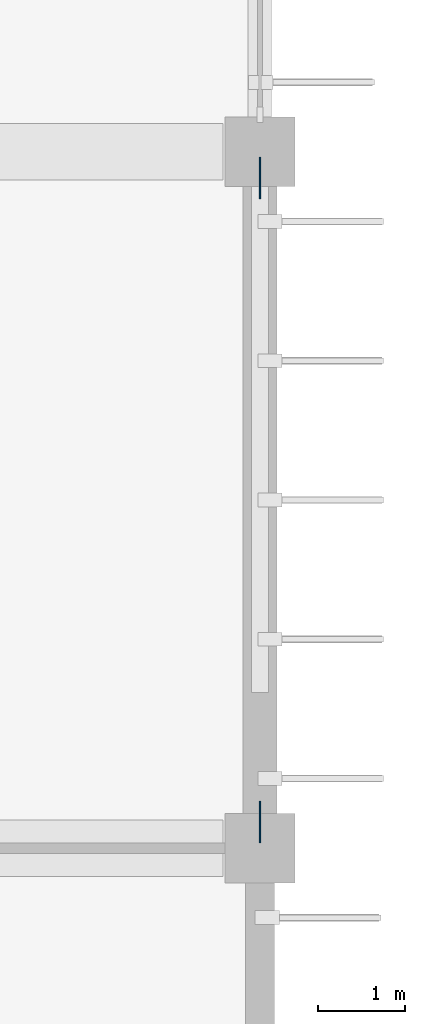
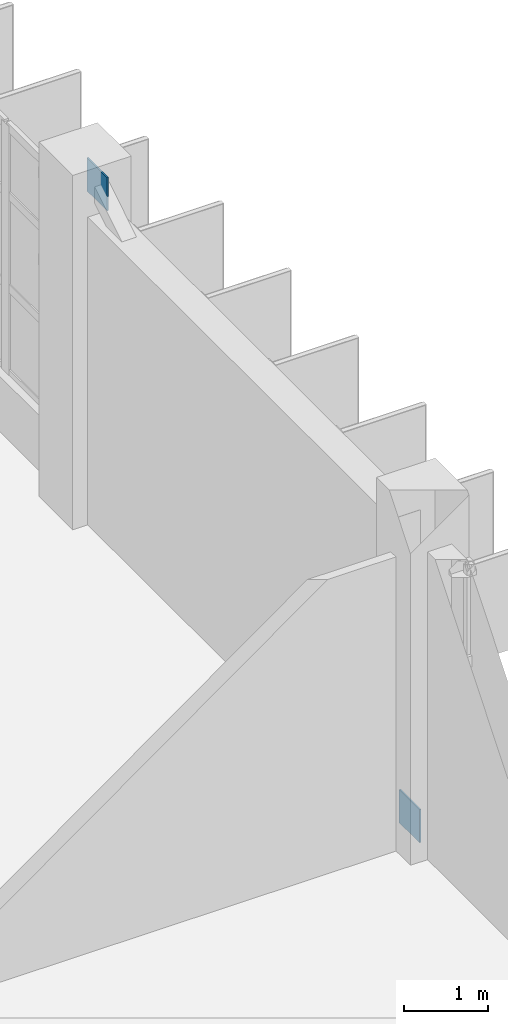
# One storey, part 69 of 103: 2 plates.
"""IFC4 building model written with IfcOpenShell, lengths in metres."""

from ifc_helpers import new_model, si_unit, direction, frame, origin, origin_2d, place, context, subcontext, project, spatial, rectangle, extrude, material, layer, layer_set, type_object, element, save


model = new_model("IFC4")

# Units and contexts
model_context = context("Model", 3, precision=1e-05, world=origin(), true_north=direction((0.0, 1.0)))
body_context = subcontext(model_context, "Body", "Model", "MODEL_VIEW")
ifc_project = project(units=[si_unit("LENGTHUNIT", "METRE"), si_unit("AREAUNIT", "SQUARE_METRE"), si_unit("VOLUMEUNIT", "CUBIC_METRE"), si_unit("PLANEANGLEUNIT", "RADIAN"), si_unit("MASSUNIT", "GRAM", prefix="KILO")], contexts=[model_context])

# Site, building, storey
site_placement = place(None, origin())
site = spatial("IfcSite", under=ifc_project, at=site_placement, CompositionType="ELEMENT")
building_placement = place(site_placement, origin())
building = spatial("IfcBuilding", under=site, at=building_placement, Name="Drelvana Railside Aquatics Centre", CompositionType="ELEMENT")
storey_placement = place(building_placement, origin())
storey = spatial("IfcBuildingStorey", under=building, at=storey_placement, Name="L00", CompositionType="ELEMENT", Elevation=0.0)

# Plates
ifc_material = material(Name="Structural steel S355", Category="steel")
ifc_layer = layer(ifc_material, 0.02197265625, Name="Structural steel S355")
ifc_layer_set = layer_set([ifc_layer], Name="Structural steel S355")
plate_type = type_object("IfcPlateType", Name="STR-PLT-PL-04", PredefinedType="SHEET", material=ifc_layer_set)
for number, where, z_axis, x_axis, name in (
    (1, (184.0, 48.300048828125, -0.090087890625), (0.0, 0.0, 1.0), (1.0, 0.0, 0.0), "Brace gusset end plate PL-04 (L00)"),
    (2, (184.0, 55.699951171875, 4.56005859375), (0.0, 0.0, 1.0), (1.0, 0.0, 0.0), "Brace gusset end plate PL-04 (L00)"),
):
    element("IfcPlate", number, at=place(storey_placement, frame(where, z_axis=z_axis, x_axis=x_axis)), inside=storey, type_object=plate_type, Name=name, PredefinedType="SHEET", context=body_context, shape_type="SweptSolid", body=[
        extrude(rectangle(XDim=0.02197265625, YDim=0.47998046875, at=origin_2d()), origin(), (0.0, 0.0, 1.0), 0.47998046875),
    ])

save(model, "model.ifc")
